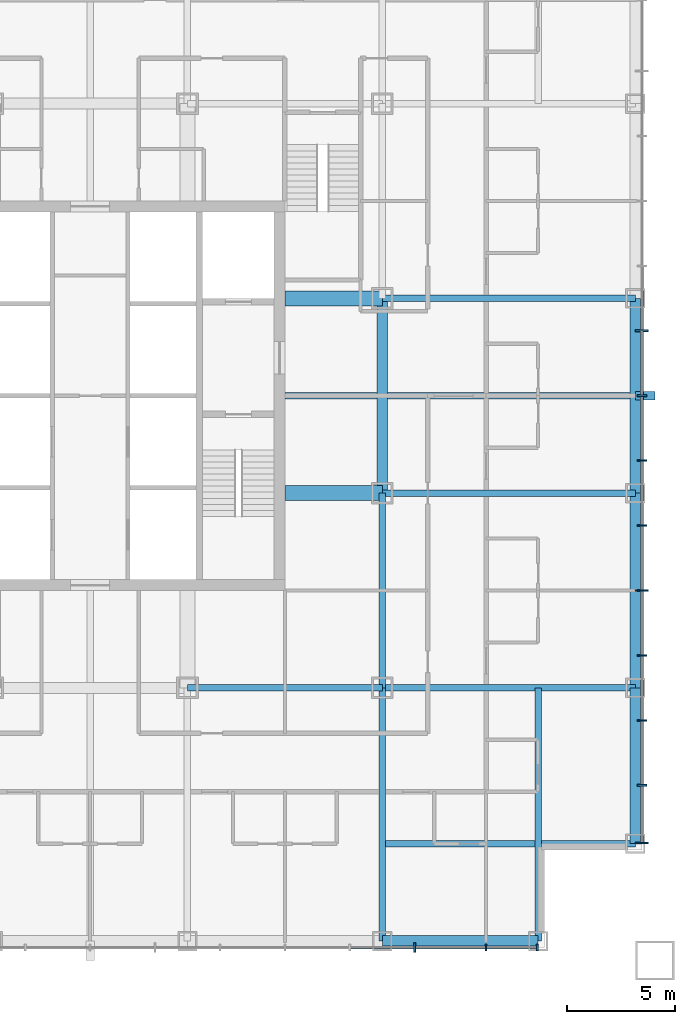
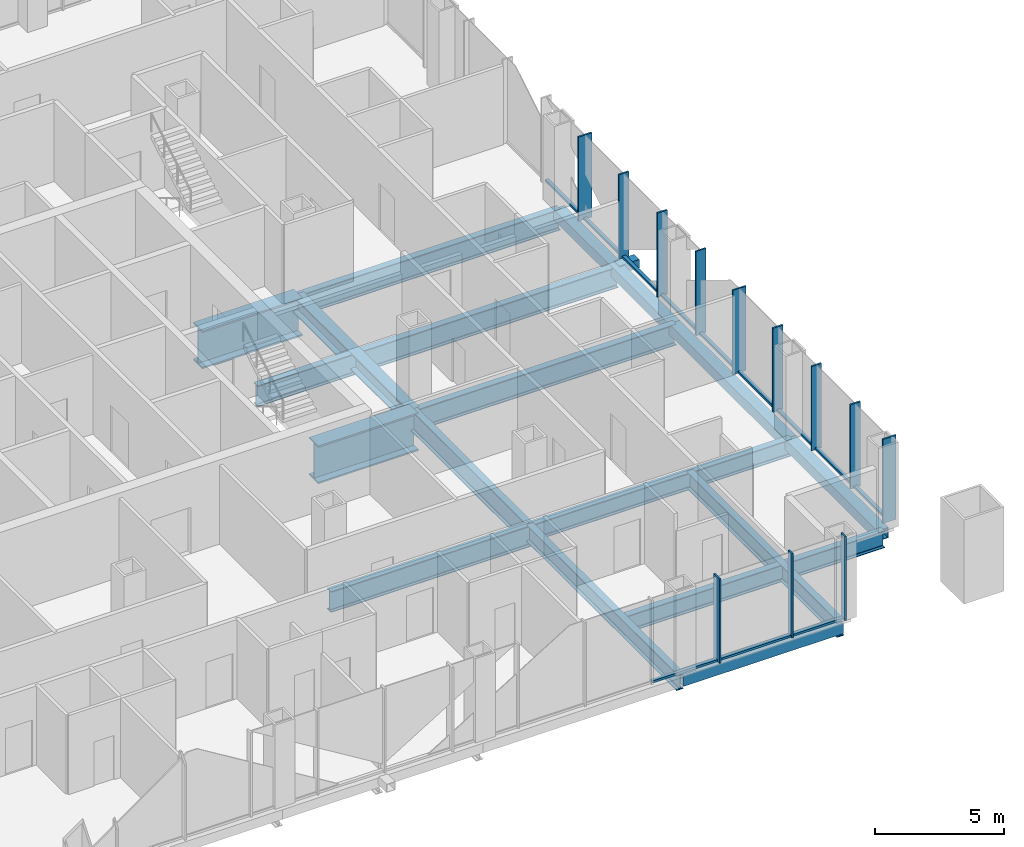
# One storey, part 3 of 13: 25 members, 16 beams, 2 elements without a shape of their own.
"""IFC4 building model written with IfcOpenShell, lengths in metres."""

from ifc_helpers import new_model, si_unit, direction, frame, origin, origin_2d, place, context, subcontext, project, spatial, rectangle, hollow_rectangle, i_section, extrude, material, layer, layer_set, material_profile, profile_set, type_object, element, aggregate, save


model = new_model("IFC4")

# Units and contexts
model_context = context("Model", 3, precision=1e-05, world=origin(), true_north=direction((0.0, 1.0)))
body_context = subcontext(model_context, "Body", "Model", "MODEL_VIEW")
ifc_project = project(units=[si_unit("LENGTHUNIT", "METRE"), si_unit("AREAUNIT", "SQUARE_METRE"), si_unit("VOLUMEUNIT", "CUBIC_METRE"), si_unit("PLANEANGLEUNIT", "RADIAN"), si_unit("MASSUNIT", "GRAM", prefix="KILO")], contexts=[model_context])

# Site, building, storey
site_placement = place(None, origin())
site = spatial("IfcSite", under=ifc_project, at=site_placement, CompositionType="ELEMENT")
building_placement = place(site_placement, origin())
building = spatial("IfcBuilding", under=site, at=building_placement, Name="Malebo Sky Hospital", CompositionType="ELEMENT")
storey_placement = place(building_placement, frame((0.0, 0.0, 47.0)))
storey = spatial("IfcBuildingStorey", under=building, at=storey_placement, Name="L10", CompositionType="ELEMENT", Elevation=47.0)

# Curtain wall, members
ifc_material_1 = material(Name="Anodised aluminium, natural silver", Category="aluminium")
ifc_layer_1 = layer(ifc_material_1, 0.25)
ifc_layer_set_1 = layer_set([ifc_layer_1], Name="WARD CURTAIN WALL NORTH AND SOUTH")
curtain_wall_type_1 = type_object("IfcCurtainWallType", Name="WARD CURTAIN WALL NORTH AND SOUTH", PredefinedType="NOTDEFINED", material=ifc_layer_set_1)
curtain_wall_1_placement = place(storey_placement, origin())
curtain_wall_1 = element("IfcCurtainWall", 1, at=curtain_wall_1_placement, inside=storey, type_object=curtain_wall_type_1, Name="NS curtain wall S", PredefinedType="NOTDEFINED")
ifc_material_profile_1 = material_profile(ifc_material_1, rectangle(XDim=0.14990234375, YDim=0.10009765625, at=origin_2d()), Name="ALUMINIUM TRANSOM 150x100")
ifc_profile_set_1 = profile_set([ifc_material_profile_1], Name="Anodised aluminium, natural silver")
member_type_1 = type_object("IfcMemberType", Name="ALUMINIUM TRANSOM 150x100", PredefinedType="USERDEFINED", material=ifc_profile_set_1)
member_1_placement = place(storey_placement, frame((80.625, 36.5, 0.050048828125), z_axis=(-1.0, 0.0, 0.0), x_axis=(0.0, -1.0, 0.0)))
member_1 = element("IfcMember", 2, at=member_1_placement, type_object=member_type_1, Name="Transom 1", ObjectType="TRANSOM", PredefinedType="USERDEFINED", context=body_context, shape_type="SweptSolid", body=[
    extrude(rectangle(XDim=0.14990234375, YDim=0.10009765625, at=origin_2d()), origin(), (0.0, 0.0, 1.0), 2.28759765625),
])
member_2_placement = place(storey_placement, frame((78.262451171875, 36.5, 0.050048828125), z_axis=(-1.0, 0.0, 0.0), x_axis=(0.0, -1.0, 0.0)))
member_2 = element("IfcMember", 3, at=member_2_placement, type_object=member_type_1, Name="Transom 2", ObjectType="TRANSOM", PredefinedType="USERDEFINED", context=body_context, shape_type="SweptSolid", body=[
    extrude(rectangle(XDim=0.14990234375, YDim=0.10009765625, at=origin_2d()), origin(), (0.0, 0.0, 1.0), 3.224853515625),
])
member_3_placement = place(storey_placement, frame((74.96240234375, 36.5, 0.050048828125), z_axis=(-1.0, 0.0, 0.0), x_axis=(0.0, -1.0, 0.0)))
member_3 = element("IfcMember", 4, at=member_3_placement, type_object=member_type_1, Name="Transom 3", ObjectType="TRANSOM", PredefinedType="USERDEFINED", context=body_context, shape_type="SweptSolid", body=[
    extrude(rectangle(XDim=0.14990234375, YDim=0.10009765625, at=origin_2d()), origin(), (0.0, 0.0, 1.0), 2.9248046875),
])

ifc_layer_2 = layer(ifc_material_1, 0.25)
ifc_layer_set_2 = layer_set([ifc_layer_2], Name="WARD CURTAIN WALL EAST AND WEST")
curtain_wall_type_2 = type_object("IfcCurtainWallType", Name="WARD CURTAIN WALL EAST AND WEST", PredefinedType="NOTDEFINED", material=ifc_layer_set_2)
curtain_wall_2_placement = place(storey_placement, origin())
curtain_wall_2 = element("IfcCurtainWall", 5, at=curtain_wall_2_placement, inside=storey, type_object=curtain_wall_type_2, Name="EW curtain wall E", PredefinedType="NOTDEFINED")
member_4_placement = place(storey_placement, frame((85.5, 67.96240234375, 0.050048828125), z_axis=(0.0, -1.0, 0.0), x_axis=(1.0, 0.0, 0.0)))
member_4 = element("IfcMember", 6, at=member_4_placement, type_object=member_type_1, Name="Transom 6", ObjectType="TRANSOM", PredefinedType="USERDEFINED", context=body_context, shape_type="SweptSolid", body=[
    extrude(rectangle(XDim=0.14990234375, YDim=0.10009765625, at=origin_2d()), origin(), (0.0, 0.0, 1.0), 2.9248046875),
])
member_5_placement = place(storey_placement, frame((85.5, 64.96240234375, 0.050048828125), z_axis=(0.0, -1.0, 0.0), x_axis=(1.0, 0.0, 0.0)))
member_5 = element("IfcMember", 7, at=member_5_placement, type_object=member_type_1, Name="Transom 7", ObjectType="TRANSOM", PredefinedType="USERDEFINED", context=body_context, shape_type="SweptSolid", body=[
    extrude(rectangle(XDim=0.14990234375, YDim=0.10009765625, at=origin_2d()), origin(), (0.0, 0.0, 1.0), 2.9248046875),
])
member_6_placement = place(storey_placement, frame((85.5, 61.96240234375, 0.050048828125), z_axis=(0.0, -1.0, 0.0), x_axis=(1.0, 0.0, 0.0)))
member_6 = element("IfcMember", 8, at=member_6_placement, type_object=member_type_1, Name="Transom 8", ObjectType="TRANSOM", PredefinedType="USERDEFINED", context=body_context, shape_type="SweptSolid", body=[
    extrude(rectangle(XDim=0.14990234375, YDim=0.10009765625, at=origin_2d()), origin(), (0.0, 0.0, 1.0), 2.9248046875),
])
member_7_placement = place(storey_placement, frame((85.5, 58.96240234375, 0.050048828125), z_axis=(0.0, -1.0, 0.0), x_axis=(1.0, 0.0, 0.0)))
member_7 = element("IfcMember", 9, at=member_7_placement, type_object=member_type_1, Name="Transom 9", ObjectType="TRANSOM", PredefinedType="USERDEFINED", context=body_context, shape_type="SweptSolid", body=[
    extrude(rectangle(XDim=0.14990234375, YDim=0.10009765625, at=origin_2d()), origin(), (0.0, 0.0, 1.0), 2.9248046875),
])
member_8_placement = place(storey_placement, frame((85.5, 55.96240234375, 0.050048828125), z_axis=(0.0, -1.0, 0.0), x_axis=(1.0, 0.0, 0.0)))
member_8 = element("IfcMember", 10, at=member_8_placement, type_object=member_type_1, Name="Transom 10", ObjectType="TRANSOM", PredefinedType="USERDEFINED", context=body_context, shape_type="SweptSolid", body=[
    extrude(rectangle(XDim=0.14990234375, YDim=0.10009765625, at=origin_2d()), origin(), (0.0, 0.0, 1.0), 2.9248046875),
])
member_9_placement = place(storey_placement, frame((85.5, 52.96240234375, 0.050048828125), z_axis=(0.0, -1.0, 0.0), x_axis=(1.0, 0.0, 0.0)))
member_9 = element("IfcMember", 11, at=member_9_placement, type_object=member_type_1, Name="Transom 11", ObjectType="TRANSOM", PredefinedType="USERDEFINED", context=body_context, shape_type="SweptSolid", body=[
    extrude(rectangle(XDim=0.14990234375, YDim=0.10009765625, at=origin_2d()), origin(), (0.0, 0.0, 1.0), 2.9248046875),
])
member_10_placement = place(storey_placement, frame((85.5, 49.96240234375, 0.050048828125), z_axis=(0.0, -1.0, 0.0), x_axis=(1.0, 0.0, 0.0)))
member_10 = element("IfcMember", 12, at=member_10_placement, type_object=member_type_1, Name="Transom 12", ObjectType="TRANSOM", PredefinedType="USERDEFINED", context=body_context, shape_type="SweptSolid", body=[
    extrude(rectangle(XDim=0.14990234375, YDim=0.10009765625, at=origin_2d()), origin(), (0.0, 0.0, 1.0), 2.9248046875),
])
member_11_placement = place(storey_placement, frame((85.5, 46.96240234375, 0.050048828125), z_axis=(0.0, -1.0, 0.0), x_axis=(1.0, 0.0, 0.0)))
member_11 = element("IfcMember", 13, at=member_11_placement, type_object=member_type_1, Name="Transom 13", ObjectType="TRANSOM", PredefinedType="USERDEFINED", context=body_context, shape_type="SweptSolid", body=[
    extrude(rectangle(XDim=0.14990234375, YDim=0.10009765625, at=origin_2d()), origin(), (0.0, 0.0, 1.0), 2.9248046875),
])
member_12_placement = place(storey_placement, frame((85.5, 43.96240234375, 0.050048828125), z_axis=(0.0, -1.0, 0.0), x_axis=(1.0, 0.0, 0.0)))
member_12 = element("IfcMember", 14, at=member_12_placement, type_object=member_type_1, Name="Transom 14", ObjectType="TRANSOM", PredefinedType="USERDEFINED", context=body_context, shape_type="SweptSolid", body=[
    extrude(rectangle(XDim=0.14990234375, YDim=0.10009765625, at=origin_2d()), origin(), (0.0, 0.0, 1.0), 2.58740234375),
])

# Member
ifc_material_2 = material(Name="Steel S355", Category="steel")
ifc_material_profile_2 = material_profile(ifc_material_2, hollow_rectangle(XDim=0.39990234375, YDim=0.39990234375, WallThickness=0.02001953125, at=origin_2d()), Name="SHS 400x20")
ifc_profile_set_2 = profile_set([ifc_material_profile_2], Name="Steel S355")
member_type_2 = type_object("IfcMemberType", Name="BRACE STRUT SHS 400x20", PredefinedType="STRUT", material=ifc_profile_set_2)
member_13_placement = place(storey_placement, frame((86.10009765625, 62.0, -0.39990234375), z_axis=(-1.0, 0.0, 0.0), x_axis=(0.0, -1.0, 0.0)))
element("IfcMember", 15, at=member_13_placement, inside=storey, type_object=member_type_2, Name="Brace strut AE1 L10", PredefinedType="STRUT", context=body_context, shape_type="SweptSolid", body=[
    extrude(hollow_rectangle(XDim=0.39990234375, YDim=0.39990234375, WallThickness=0.02001953125, at=origin_2d()), origin(), (0.0, 0.0, 1.0), 0.900146484375),
])

ifc_material_profile_3 = material_profile(ifc_material_1, rectangle(XDim=0.074951171875, YDim=0.300048828125, at=origin_2d()), Name="CW1 ALUMINIUM FIN MULLION 75x300")
ifc_profile_set_3 = profile_set([ifc_material_profile_3], Name="Anodised aluminium, natural silver")
member_type_3 = type_object("IfcMemberType", Name="CW1 ALUMINIUM FIN MULLION 75x300", PredefinedType="MULLION", material=ifc_profile_set_3)
member_14_placement = place(storey_placement, frame((80.66259765625, 36.5, 0.0), z_axis=(0.0, 0.0, 1.0), x_axis=(-1.0, 0.0, 0.0)))
member_14 = element("IfcMember", 16, at=member_14_placement, type_object=member_type_3, Name="Fin mullion 1", PredefinedType="MULLION", context=body_context, shape_type="SweptSolid", body=[
    extrude(rectangle(XDim=0.074951171875, YDim=0.300048828125, at=origin_2d()), origin(), (0.0, 0.0, 1.0), 4.0),
])

member_15_placement = place(storey_placement, frame((78.300048828125, 36.5, 0.0), z_axis=(0.0, 0.0, 1.0), x_axis=(-1.0, 0.0, 0.0)))
member_15 = element("IfcMember", 17, at=member_15_placement, type_object=member_type_3, Name="Fin mullion 2", PredefinedType="MULLION", context=body_context, shape_type="SweptSolid", body=[
    extrude(rectangle(XDim=0.074951171875, YDim=0.300048828125, at=origin_2d()), origin(), (0.0, 0.0, 1.0), 4.0),
])

ifc_material_profile_4 = material_profile(ifc_material_1, rectangle(XDim=0.074951171875, YDim=0.449951171875, at=origin_2d()), Name="CW1 ALUMINIUM FIN MULLION 75x450")
ifc_profile_set_4 = profile_set([ifc_material_profile_4], Name="Anodised aluminium, natural silver")
member_type_4 = type_object("IfcMemberType", Name="CW1 ALUMINIUM FIN MULLION 75x450", PredefinedType="MULLION", material=ifc_profile_set_4)
member_16_placement = place(storey_placement, frame((75.0, 36.5, 0.0), z_axis=(0.0, 0.0, 1.0), x_axis=(-1.0, 0.0, 0.0)))
member_16 = element("IfcMember", 18, at=member_16_placement, type_object=member_type_4, Name="Fin mullion 3", PredefinedType="MULLION", context=body_context, shape_type="SweptSolid", body=[
    extrude(rectangle(XDim=0.074951171875, YDim=0.449951171875, at=origin_2d()), origin(), (0.0, 0.0, 1.0), 4.0),
])

aggregate(curtain_wall_1, [member_14, member_15, member_16, member_1, member_2, member_3])

ifc_material_profile_5 = material_profile(ifc_material_1, rectangle(XDim=0.074951171875, YDim=0.449951171875, at=origin_2d()), Name="CW2 ALUMINIUM FIN MULLION 75x450")
ifc_profile_set_5 = profile_set([ifc_material_profile_5], Name="Anodised aluminium, natural silver")
member_type_5 = type_object("IfcMemberType", Name="CW2 ALUMINIUM FIN MULLION 75x450", PredefinedType="MULLION", material=ifc_profile_set_5)
member_17_placement = place(storey_placement, frame((85.5, 62.0, 0.0), z_axis=(0.0, 0.0, 1.0), x_axis=(0.0, -1.0, 0.0)))
member_17 = element("IfcMember", 19, at=member_17_placement, type_object=member_type_5, Name="Fin mullion 8", PredefinedType="MULLION", context=body_context, shape_type="SweptSolid", body=[
    extrude(rectangle(XDim=0.074951171875, YDim=0.449951171875, at=origin_2d()), origin(), (0.0, 0.0, 1.0), 4.0),
])

member_18_placement = place(storey_placement, frame((85.5, 59.0, 0.0), z_axis=(0.0, 0.0, 1.0), x_axis=(0.0, -1.0, 0.0)))
member_18 = element("IfcMember", 20, at=member_18_placement, type_object=member_type_5, Name="Fin mullion 9", PredefinedType="MULLION", context=body_context, shape_type="SweptSolid", body=[
    extrude(rectangle(XDim=0.074951171875, YDim=0.449951171875, at=origin_2d()), origin(), (0.0, 0.0, 1.0), 4.0),
])

member_19_placement = place(storey_placement, frame((85.5, 56.0, 0.0), z_axis=(0.0, 0.0, 1.0), x_axis=(0.0, -1.0, 0.0)))
member_19 = element("IfcMember", 21, at=member_19_placement, type_object=member_type_5, Name="Fin mullion 10", PredefinedType="MULLION", context=body_context, shape_type="SweptSolid", body=[
    extrude(rectangle(XDim=0.074951171875, YDim=0.449951171875, at=origin_2d()), origin(), (0.0, 0.0, 1.0), 4.0),
])

member_20_placement = place(storey_placement, frame((85.5, 50.0, 0.0), z_axis=(0.0, 0.0, 1.0), x_axis=(0.0, -1.0, 0.0)))
member_20 = element("IfcMember", 22, at=member_20_placement, type_object=member_type_5, Name="Fin mullion 12", PredefinedType="MULLION", context=body_context, shape_type="SweptSolid", body=[
    extrude(rectangle(XDim=0.074951171875, YDim=0.449951171875, at=origin_2d()), origin(), (0.0, 0.0, 1.0), 4.0),
])

member_21_placement = place(storey_placement, frame((85.5, 47.0, 0.0), z_axis=(0.0, 0.0, 1.0), x_axis=(0.0, -1.0, 0.0)))
member_21 = element("IfcMember", 23, at=member_21_placement, type_object=member_type_5, Name="Fin mullion 13", PredefinedType="MULLION", context=body_context, shape_type="SweptSolid", body=[
    extrude(rectangle(XDim=0.074951171875, YDim=0.449951171875, at=origin_2d()), origin(), (0.0, 0.0, 1.0), 4.0),
])

member_22_placement = place(storey_placement, frame((85.5, 44.0, 0.0), z_axis=(0.0, 0.0, 1.0), x_axis=(0.0, -1.0, 0.0)))
member_22 = element("IfcMember", 24, at=member_22_placement, type_object=member_type_5, Name="Fin mullion 14", PredefinedType="MULLION", context=body_context, shape_type="SweptSolid", body=[
    extrude(rectangle(XDim=0.074951171875, YDim=0.449951171875, at=origin_2d()), origin(), (0.0, 0.0, 1.0), 4.0),
])

ifc_material_profile_6 = material_profile(ifc_material_1, rectangle(XDim=0.074951171875, YDim=0.60009765625, at=origin_2d()), Name="CW2 ALUMINIUM FIN MULLION 75x600")
ifc_profile_set_6 = profile_set([ifc_material_profile_6], Name="Anodised aluminium, natural silver")
member_type_6 = type_object("IfcMemberType", Name="CW2 ALUMINIUM FIN MULLION 75x600", PredefinedType="MULLION", material=ifc_profile_set_6)
member_23_placement = place(storey_placement, frame((85.5, 65.0, 0.0), z_axis=(0.0, 0.0, 1.0), x_axis=(0.0, -1.0, 0.0)))
member_23 = element("IfcMember", 25, at=member_23_placement, type_object=member_type_6, Name="Fin mullion 7", PredefinedType="MULLION", context=body_context, shape_type="SweptSolid", body=[
    extrude(rectangle(XDim=0.074951171875, YDim=0.60009765625, at=origin_2d()), origin(), (0.0, 0.0, 1.0), 4.0),
])

member_24_placement = place(storey_placement, frame((85.5, 53.0, 0.0), z_axis=(0.0, 0.0, 1.0), x_axis=(0.0, -1.0, 0.0)))
member_24 = element("IfcMember", 26, at=member_24_placement, type_object=member_type_6, Name="Fin mullion 11", PredefinedType="MULLION", context=body_context, shape_type="SweptSolid", body=[
    extrude(rectangle(XDim=0.074951171875, YDim=0.60009765625, at=origin_2d()), origin(), (0.0, 0.0, 1.0), 4.0),
])

member_25_placement = place(storey_placement, frame((85.5, 41.33740234375, 0.0), z_axis=(0.0, 0.0, 1.0), x_axis=(0.0, -1.0, 0.0)))
member_25 = element("IfcMember", 27, at=member_25_placement, type_object=member_type_6, Name="Fin mullion 15", PredefinedType="MULLION", context=body_context, shape_type="SweptSolid", body=[
    extrude(rectangle(XDim=0.074951171875, YDim=0.60009765625, at=origin_2d()), origin(), (0.0, 0.0, 1.0), 4.0),
])

aggregate(curtain_wall_2, [member_23, member_17, member_18, member_19, member_24, member_20, member_21, member_22, member_25, member_4, member_5, member_6, member_7, member_8, member_9, member_10, member_11, member_12])

# Beams
ifc_material_3 = material(Name="Steel S460", Category="steel")
ifc_material_profile_7 = material_profile(ifc_material_3, hollow_rectangle(XDim=0.5, YDim=0.5, WallThickness=0.030029296875, at=origin_2d()), Name="BOX 500x500x30")
ifc_profile_set_7 = profile_set([ifc_material_profile_7], Name="Steel S460")
beam_type_1 = type_object("IfcBeamType", Name="EDGE BEAM BOX 500x500x30", PredefinedType="BEAM", material=ifc_profile_set_7)
beam_1_placement = place(storey_placement, frame((85.199951171875, 41.300048828125, -0.5), z_axis=(0.0, 1.0, 0.0), x_axis=(-1.0, 0.0, 0.0)))
element("IfcBeam", 28, at=beam_1_placement, inside=storey, type_object=beam_type_1, Name="Beam 029 L10", PredefinedType="BEAM", context=body_context, shape_type="SweptSolid", body=[
    extrude(hollow_rectangle(XDim=0.5, YDim=0.5, WallThickness=0.030029296875, at=origin_2d()), origin(), (0.0, 0.0, 1.0), 7.199951171875),
])
for number, where, z_axis, x_axis, name in (
    (29, (85.199951171875, 48.5, -0.5), (0.0, 1.0, 0.0), (-1.0, 0.0, 0.0), "Beam 030 L10"),
    (30, (85.199951171875, 57.5, -0.5), (0.0, 1.0, 0.0), (-1.0, 0.0, 0.0), "Beam 031 L10"),
):
    element("IfcBeam", number, at=place(storey_placement, frame(where, z_axis=z_axis, x_axis=x_axis)), inside=storey, type_object=beam_type_1, Name=name, PredefinedType="BEAM", context=body_context, shape_type="SweptSolid", body=[
        extrude(hollow_rectangle(XDim=0.5, YDim=0.5, WallThickness=0.030029296875, at=origin_2d()), origin(), (0.0, 0.0, 1.0), 9.0),
    ])
beam_2_placement = place(storey_placement, frame((73.5, 36.800048828125, -0.5), z_axis=(1.0, 0.0, 0.0), x_axis=(0.0, 1.0, 0.0)))
element("IfcBeam", 31, at=beam_2_placement, inside=storey, type_object=beam_type_1, Name="Beam 038 L10", PredefinedType="BEAM", context=body_context, shape_type="SweptSolid", body=[
    extrude(hollow_rectangle(XDim=0.5, YDim=0.5, WallThickness=0.030029296875, at=origin_2d()), origin(), (0.0, 0.0, 1.0), 7.199951171875),
])
ifc_material_profile_8 = material_profile(ifc_material_2, i_section(OverallWidth=0.300048828125, OverallDepth=1.0, WebThickness=0.01904296875, FlangeThickness=0.035888671875, FilletRadius=0.030029296875, at=origin_2d()), Name="HEB 1000")
ifc_profile_set_8 = profile_set([ifc_material_profile_8], Name="Steel S355")
beam_type_2 = type_object("IfcBeamType", Name="FLOOR BEAM HEB 1000", PredefinedType="BEAM", material=ifc_profile_set_8)
for number, where, z_axis, x_axis, name in (
    (32, (73.5, 48.5, -0.75), (0.0, 1.0, 0.0), (-1.0, 0.0, 0.0), "Beam 023 L10"),
    (33, (64.5, 48.5, -0.75), (1.0, 0.0, 0.0), (0.0, 1.0, 0.0), "Beam 044 L10"),
):
    element("IfcBeam", number, at=place(storey_placement, frame(where, z_axis=z_axis, x_axis=x_axis)), inside=storey, type_object=beam_type_2, Name=name, PredefinedType="BEAM", context=body_context, shape_type="SweptSolid", body=[
        extrude(i_section(OverallWidth=0.300048828125, OverallDepth=1.0, WebThickness=0.01904296875, FlangeThickness=0.035888671875, FilletRadius=0.030029296875, at=origin_2d()), origin(), (0.0, 0.0, 1.0), 9.0),
    ])
beam_3_placement = place(storey_placement, frame((73.5, 57.5, -0.75), z_axis=(1.0, 0.0, 0.0), x_axis=(0.0, 1.0, 0.0)))
element("IfcBeam", 34, at=beam_3_placement, inside=storey, type_object=beam_type_2, Name="Beam 049 L10", PredefinedType="BEAM", context=body_context, shape_type="SweptSolid", body=[
    extrude(i_section(OverallWidth=0.300048828125, OverallDepth=1.0, WebThickness=0.01904296875, FlangeThickness=0.035888671875, FilletRadius=0.030029296875, at=origin_2d()), origin(), (0.0, 0.0, 1.0), 11.699951171875),
])
beam_4_placement = place(storey_placement, frame((69.0, 62.0, -0.75), z_axis=(1.0, 0.0, 0.0), x_axis=(0.0, 1.0, 0.0)))
element("IfcBeam", 35, at=beam_4_placement, inside=storey, type_object=beam_type_2, Name="Beam 051 L10", PredefinedType="BEAM", context=body_context, shape_type="SweptSolid", body=[
    extrude(i_section(OverallWidth=0.300048828125, OverallDepth=1.0, WebThickness=0.01904296875, FlangeThickness=0.035888671875, FilletRadius=0.030029296875, at=origin_2d()), origin(), (0.0, 0.0, 1.0), 16.199951171875),
])
beam_5_placement = place(storey_placement, frame((73.5, 66.5, -0.75), z_axis=(1.0, 0.0, 0.0), x_axis=(0.0, 1.0, 0.0)))
element("IfcBeam", 36, at=beam_5_placement, inside=storey, type_object=beam_type_2, Name="Beam 055 L10", PredefinedType="BEAM", context=body_context, shape_type="SweptSolid", body=[
    extrude(i_section(OverallWidth=0.300048828125, OverallDepth=1.0, WebThickness=0.01904296875, FlangeThickness=0.035888671875, FilletRadius=0.030029296875, at=origin_2d()), origin(), (0.0, 0.0, 1.0), 11.699951171875),
])
ifc_material_profile_9 = material_profile(ifc_material_2, i_section(OverallWidth=0.300048828125, OverallDepth=0.800048828125, WebThickness=0.017578125, FlangeThickness=0.032958984375, FilletRadius=0.030029296875, at=origin_2d()), Name="HEB 800")
ifc_profile_set_9 = profile_set([ifc_material_profile_9], Name="Steel S355")
beam_type_3 = type_object("IfcBeamType", Name="FLOOR BEAM HEB 800", PredefinedType="BEAM", material=ifc_profile_set_9)
for number, where, z_axis, x_axis, name in (
    (37, (80.699951171875, 36.800048828125, -0.64990234375), (0.0, 1.0, 0.0), (-1.0, 0.0, 0.0), "Beam 027 L10"),
    (38, (73.5, 41.300048828125, -0.64990234375), (1.0, 0.0, 0.0), (0.0, 1.0, 0.0), "Beam 040 L10"),
):
    element("IfcBeam", number, at=place(storey_placement, frame(where, z_axis=z_axis, x_axis=x_axis)), inside=storey, type_object=beam_type_3, Name=name, PredefinedType="BEAM", context=body_context, shape_type="SweptSolid", body=[
        extrude(i_section(OverallWidth=0.300048828125, OverallDepth=0.800048828125, WebThickness=0.017578125, FlangeThickness=0.032958984375, FilletRadius=0.030029296875, at=origin_2d()), origin(), (0.0, 0.0, 1.0), 11.699951171875),
    ])
ifc_material_profile_10 = material_profile(ifc_material_2, i_section(OverallWidth=0.699951171875, OverallDepth=1.800048828125, WebThickness=0.034912109375, FlangeThickness=0.070068359375, at=origin_2d()), Name="PG 1800x700x35x70")
ifc_profile_set_10 = profile_set([ifc_material_profile_10], Name="Steel S355")
beam_type_4 = type_object("IfcBeamType", Name="FLOOR BEAM PG 1800x700x35x70", PredefinedType="BEAM", material=ifc_profile_set_10)
for number, where, z_axis, x_axis, name in (
    (39, (69.0, 57.5, -1.14990234375), (1.0, 0.0, 0.0), (0.0, 1.0, 0.0), "Beam 048 L10"),
    (40, (69.0, 66.5, -1.14990234375), (1.0, 0.0, 0.0), (0.0, 1.0, 0.0), "Beam 054 L10"),
):
    element("IfcBeam", number, at=place(storey_placement, frame(where, z_axis=z_axis, x_axis=x_axis)), inside=storey, type_object=beam_type_4, Name=name, PredefinedType="BEAM", context=body_context, shape_type="SweptSolid", body=[
        extrude(i_section(OverallWidth=0.699951171875, OverallDepth=1.800048828125, WebThickness=0.034912109375, FlangeThickness=0.070068359375, at=origin_2d()), origin(), (0.0, 0.0, 1.0), 4.5),
    ])
ifc_material_profile_11 = material_profile(ifc_material_2, i_section(OverallWidth=0.300048828125, OverallDepth=0.800048828125, WebThickness=0.017578125, FlangeThickness=0.032958984375, FilletRadius=0.030029296875, at=origin_2d()), Name="HEB 800")
ifc_profile_set_11 = profile_set([ifc_material_profile_11], Name="Steel S355")
beam_type_5 = type_object("IfcBeamType", Name="FLOOR GIRDER HEB 800", PredefinedType="BEAM", material=ifc_profile_set_11)
for number, where, z_axis, x_axis, name in (
    (41, (73.5, 36.800048828125, -0.64990234375), (0.0, 1.0, 0.0), (-1.0, 0.0, 0.0), "Beam 022 L10"),
    (42, (73.5, 48.5, -0.64990234375), (1.0, 0.0, 0.0), (0.0, 1.0, 0.0), "Beam 045 L10"),
):
    element("IfcBeam", number, at=place(storey_placement, frame(where, z_axis=z_axis, x_axis=x_axis)), inside=storey, type_object=beam_type_5, Name=name, PredefinedType="BEAM", context=body_context, shape_type="SweptSolid", body=[
        extrude(i_section(OverallWidth=0.300048828125, OverallDepth=0.800048828125, WebThickness=0.017578125, FlangeThickness=0.032958984375, FilletRadius=0.030029296875, at=origin_2d()), origin(), (0.0, 0.0, 1.0), 11.699951171875),
    ])
ifc_material_profile_12 = material_profile(ifc_material_2, i_section(OverallWidth=0.5, OverallDepth=0.800048828125, WebThickness=0.030029296875, FlangeThickness=0.050048828125, at=origin_2d()), Name="PG 800x500x30x50")
ifc_profile_set_12 = profile_set([ifc_material_profile_12], Name="Steel S355")
beam_type_6 = type_object("IfcBeamType", Name="RING GIRDER PG 800x500x30x50", PredefinedType="BEAM", material=ifc_profile_set_12)
beam_6_placement = place(storey_placement, frame((73.5, 57.5, -0.64990234375), z_axis=(0.0, 1.0, 0.0), x_axis=(-1.0, 0.0, 0.0)))
element("IfcBeam", 43, at=beam_6_placement, inside=storey, type_object=beam_type_6, Name="Beam 024 L10", PredefinedType="BEAM", context=body_context, shape_type="SweptSolid", body=[
    extrude(i_section(OverallWidth=0.5, OverallDepth=0.800048828125, WebThickness=0.030029296875, FlangeThickness=0.050048828125, at=origin_2d()), origin(), (0.0, 0.0, 1.0), 9.0),
])

save(model, "model.ifc")
